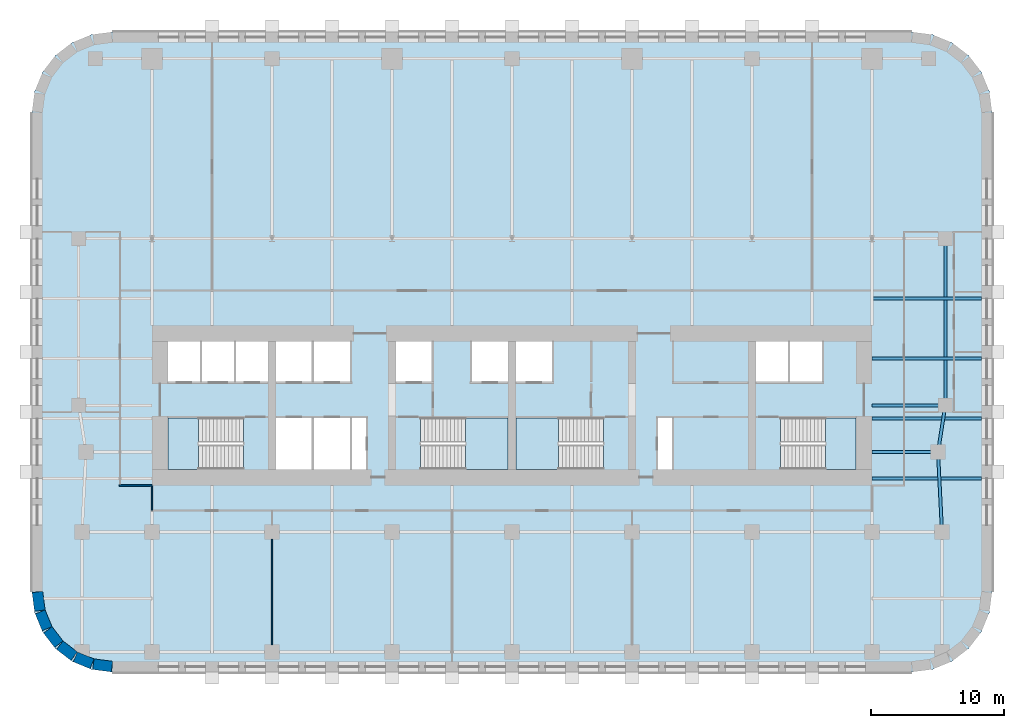
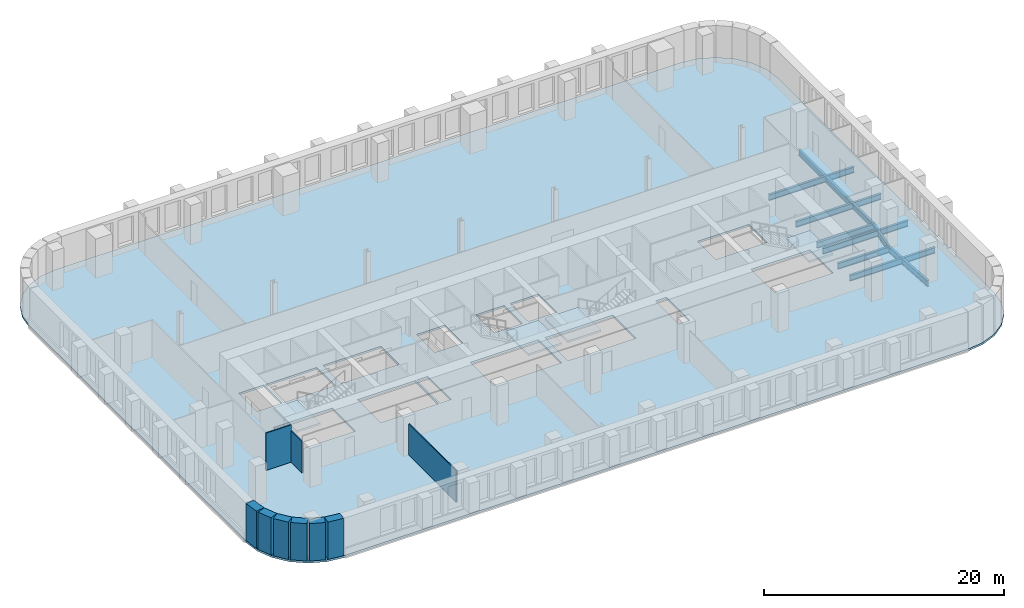
# One storey, part 2 of 11: 9 beams, 9 walls, 5 slabs, 4 elements without a shape of their own.
"""IFC4 building model written with IfcOpenShell, lengths in metres."""

from ifc_helpers import new_model, si_unit, direction, frame, frame_2d, origin, origin_2d, place, context, subcontext, project, spatial, polyline, rectangle, i_section, outline, extrude, material, layer, layer_set, material_profile, profile_set, type_object, element, aggregate, save


model = new_model("IFC4")

# Units and contexts
model_context = context("Model", 3, precision=1e-05, world=origin(), true_north=direction((0.0, 1.0)))
body_context = subcontext(model_context, "Body", "Model", "MODEL_VIEW")
ifc_project = project(units=[si_unit("LENGTHUNIT", "METRE"), si_unit("AREAUNIT", "SQUARE_METRE"), si_unit("VOLUMEUNIT", "CUBIC_METRE"), si_unit("PLANEANGLEUNIT", "RADIAN"), si_unit("MASSUNIT", "GRAM", prefix="KILO")], contexts=[model_context])

# Site, building, storey
site_placement = place(None, origin())
site = spatial("IfcSite", under=ifc_project, at=site_placement, CompositionType="ELEMENT")
building_placement = place(site_placement, origin())
building = spatial("IfcBuilding", under=site, at=building_placement, Name="Zellij Exchange Tower", CompositionType="ELEMENT")
storey_placement = place(building_placement, frame((0.0, 0.0, 56.5)))
storey = spatial("IfcBuildingStorey", under=building, at=storey_placement, Name="L10", CompositionType="ELEMENT", Elevation=56.5)

# Beams
ifc_material_1 = material(Name="Structural steel ASTM A992 Gr 50", Category="steel")
ifc_material_profile_1 = material_profile(ifc_material_1, i_section(OverallWidth=0.227783203125, OverallDepth=0.60205078125, WebThickness=0.010498046875, FlangeThickness=0.014892578125, at=origin_2d()), Name="W24x68")
ifc_profile_set_1 = profile_set([ifc_material_profile_1], Name="Structural steel ASTM A992 Gr 50")
beam_type_1 = type_object("IfcBeamType", Name="STR-BEAM W24x68", PredefinedType="BEAM", material=ifc_profile_set_1)
for number, where, z_axis, x_axis, name in (
    (1, (27.0, -13.5, -0.5009765625), (1.0, 0.0, 0.0), (0.0, 1.0, 0.0), "B5"),
    (2, (27.0, -9.0, -0.5009765625), (1.0, 0.0, 0.0), (0.0, 1.0, 0.0), "B5"),
    (3, (27.0, -4.5, -0.5009765625), (1.0, 0.0, 0.0), (0.0, 1.0, 0.0), "B5"),
    (4, (27.0, 0.0, -0.5009765625), (1.0, 0.0, 0.0), (0.0, 1.0, 0.0), "B5"),
):
    element("IfcBeam", number, at=place(storey_placement, frame(where, z_axis=z_axis, x_axis=x_axis)), inside=storey, type_object=beam_type_1, Name=name, PredefinedType="BEAM", context=body_context, shape_type="SweptSolid", body=[
        extrude(i_section(OverallWidth=0.227783203125, OverallDepth=0.60205078125, WebThickness=0.010498046875, FlangeThickness=0.014892578125, at=origin_2d()), origin(), (0.0, 0.0, 1.0), 8.199951171875),
    ])
ifc_material_profile_2 = material_profile(ifc_material_1, i_section(OverallWidth=0.22900390625, OverallDepth=0.612060546875, WebThickness=0.011962890625, FlangeThickness=0.01953125, at=origin_2d()), Name="W24x84")
ifc_profile_set_2 = profile_set([ifc_material_profile_2], Name="Structural steel ASTM A992 Gr 50")
beam_type_2 = type_object("IfcBeamType", Name="STR-EDGE GIRDER W24x84", PredefinedType="BEAM", material=ifc_profile_set_2)
beam_1_placement = place(storey_placement, frame((32.25, -17.5, -0.506103515625), z_axis=(-0.049945724537, 0.998751933465, 0.0), x_axis=(-0.998751933465, -0.049945724537, 0.0)))
element("IfcBeam", 5, at=beam_1_placement, inside=storey, type_object=beam_type_2, Name="EB6", PredefinedType="BEAM", context=body_context, shape_type="SweptSolid", body=[
    extrude(i_section(OverallWidth=0.22900390625, OverallDepth=0.612060546875, WebThickness=0.011962890625, FlangeThickness=0.01953125, at=origin_2d()), origin(), (0.0, 0.0, 1.0), 6.007568359375),
])
beam_2_placement = place(storey_placement, frame((31.949951171875, -11.5, -0.506103515625), z_axis=(0.155251283593, 0.987875011802, 0.0), x_axis=(-0.987875011802, 0.155251283593, 0.0)))
element("IfcBeam", 6, at=beam_2_placement, inside=storey, type_object=beam_type_2, Name="EB6", PredefinedType="BEAM", context=body_context, shape_type="SweptSolid", body=[
    extrude(i_section(OverallWidth=0.22900390625, OverallDepth=0.612060546875, WebThickness=0.011962890625, FlangeThickness=0.01953125, at=origin_2d()), origin(), (0.0, 0.0, 1.0), 3.54296875),
])
beam_3_placement = place(storey_placement, frame((32.5, -8.0, -0.506103515625), z_axis=(0.0, 1.0, 0.0), x_axis=(-1.0, 0.0, 0.0)))
element("IfcBeam", 7, at=beam_3_placement, inside=storey, type_object=beam_type_2, Name="EB6", PredefinedType="BEAM", context=body_context, shape_type="SweptSolid", body=[
    extrude(i_section(OverallWidth=0.22900390625, OverallDepth=0.612060546875, WebThickness=0.011962890625, FlangeThickness=0.01953125, at=origin_2d()), origin(), (0.0, 0.0, 1.0), 12.5),
])
ifc_material_profile_3 = material_profile(ifc_material_1, i_section(OverallWidth=0.22900390625, OverallDepth=0.612060546875, WebThickness=0.011962890625, FlangeThickness=0.01953125, at=origin_2d()), Name="W24x84")
ifc_profile_set_3 = profile_set([ifc_material_profile_3], Name="Structural steel ASTM A992 Gr 50")
beam_type_3 = type_object("IfcBeamType", Name="STR-GIRDER W24x84", PredefinedType="BEAM", material=ifc_profile_set_3)
beam_4_placement = place(storey_placement, frame((27.0, -11.5, -0.506103515625), z_axis=(1.0, 0.0, 0.0), x_axis=(0.0, 1.0, 0.0)))
element("IfcBeam", 8, at=beam_4_placement, inside=storey, type_object=beam_type_3, Name="G4", PredefinedType="BEAM", context=body_context, shape_type="SweptSolid", body=[
    extrude(i_section(OverallWidth=0.22900390625, OverallDepth=0.612060546875, WebThickness=0.011962890625, FlangeThickness=0.01953125, at=origin_2d()), origin(), (0.0, 0.0, 1.0), 4.949951171875),
])
beam_5_placement = place(storey_placement, frame((27.0, -8.0, -0.506103515625), z_axis=(1.0, 0.0, 0.0), x_axis=(0.0, 1.0, 0.0)))
element("IfcBeam", 9, at=beam_5_placement, inside=storey, type_object=beam_type_3, Name="G4", PredefinedType="BEAM", context=body_context, shape_type="SweptSolid", body=[
    extrude(i_section(OverallWidth=0.22900390625, OverallDepth=0.612060546875, WebThickness=0.011962890625, FlangeThickness=0.01953125, at=origin_2d()), origin(), (0.0, 0.0, 1.0), 5.5),
])

# Stair, slab
ifc_material_2 = material(Name="Concrete C40/50", Category="concrete")
stair_type = type_object("IfcStairType", Name="CORE-ST exit stair 1850 wide", PredefinedType="HALF_TURN_STAIR", material=ifc_material_2)
stair_1_placement = place(storey_placement, origin())
stair_1 = element("IfcStair", 10, at=stair_1_placement, inside=storey, type_object=stair_type, Name="L10 exit stair ST1", PredefinedType="HALF_TURN_STAIR")
ifc_layer_1 = layer(ifc_material_2, 0.199951171875)
ifc_layer_set_1 = layer_set([ifc_layer_1], Name="Concrete C40/50")
slab_type_1 = type_object("IfcSlabType", Name="CORE-SL stair landing 200", PredefinedType="LANDING", material=ifc_layer_set_1)
slab_1_placement = place(storey_placement, frame((0.0, 0.0, 1.800048828125)))
slab_1 = element("IfcSlab", 11, at=slab_1_placement, type_object=slab_type_1, Name="ST1 landing 1", PredefinedType="LANDING", context=body_context, shape_type="SweptSolid", body=[
    extrude(outline(polyline([(-23.510009765625, -8.949951171875), (-25.800048828125, -8.949951171875), (-25.800048828125, -12.800048828125), (-23.510009765625, -12.800048828125), (-23.510009765625, -8.949951171875)])), origin(), (0.0, 0.0, 1.0), 0.199951171875),
])
aggregate(stair_1, [slab_1])

stair_2_placement = place(storey_placement, origin())
stair_2 = element("IfcStair", 12, at=stair_2_placement, inside=storey, type_object=stair_type, Name="L10 exit stair ST2", PredefinedType="HALF_TURN_STAIR")
slab_2_placement = place(storey_placement, frame((0.0, 0.0, 1.800048828125)))
slab_2 = element("IfcSlab", 13, at=slab_2_placement, type_object=slab_type_1, Name="ST2 landing 1", PredefinedType="LANDING", context=body_context, shape_type="SweptSolid", body=[
    extrude(outline(polyline([(-3.489990234375, -12.800048828125), (-0.300048828125, -12.800048828125), (-0.300048828125, -8.949951171875), (-3.489990234375, -8.949951171875), (-3.489990234375, -12.800048828125)])), origin(), (0.0, 0.0, 1.0), 0.199951171875),
])
aggregate(stair_2, [slab_2])

stair_3_placement = place(storey_placement, origin())
stair_3 = element("IfcStair", 14, at=stair_3_placement, inside=storey, type_object=stair_type, Name="L10 exit stair ST3", PredefinedType="HALF_TURN_STAIR")
slab_3_placement = place(storey_placement, frame((0.0, 0.0, 1.800048828125)))
slab_3 = element("IfcSlab", 15, at=slab_3_placement, type_object=slab_type_1, Name="ST3 landing 1", PredefinedType="LANDING", context=body_context, shape_type="SweptSolid", body=[
    extrude(outline(polyline([(3.489990234375, -8.949951171875), (0.300048828125, -8.949951171875), (0.300048828125, -12.800048828125), (3.489990234375, -12.800048828125), (3.489990234375, -8.949951171875)])), origin(), (0.0, 0.0, 1.0), 0.199951171875),
])
aggregate(stair_3, [slab_3])

stair_4_placement = place(storey_placement, origin())
stair_4 = element("IfcStair", 16, at=stair_4_placement, inside=storey, type_object=stair_type, Name="L10 exit stair ST4", PredefinedType="HALF_TURN_STAIR")
slab_4_placement = place(storey_placement, frame((0.0, 0.0, 1.800048828125)))
slab_4 = element("IfcSlab", 17, at=slab_4_placement, type_object=slab_type_1, Name="ST4 landing 1", PredefinedType="LANDING", context=body_context, shape_type="SweptSolid", body=[
    extrude(outline(polyline([(23.510009765625, -12.800048828125), (25.800048828125, -12.800048828125), (25.800048828125, -8.949951171875), (23.510009765625, -8.949951171875), (23.510009765625, -12.800048828125)])), origin(), (0.0, 0.0, 1.0), 0.199951171875),
])
aggregate(stair_4, [slab_4])

# Slab
ifc_layer_2 = layer(ifc_material_2, 0.199951171875)
ifc_layer_set_2 = layer_set([ifc_layer_2], Name="Concrete C40/50")
slab_type_2 = type_object("IfcSlabType", Name="STR-FLOOR SLAB 200 C40/50", PredefinedType="FLOOR", material=ifc_layer_set_2)
slab_5_placement = place(storey_placement, frame((0.0, 0.0, -0.2001953125)))
element("IfcSlab", 18, at=slab_5_placement, inside=storey, type_object=slab_type_2, Name="Floor L10", PredefinedType="FLOOR", context=body_context, shape_type="SweptSolid", body=[
    extrude(outline(polyline([(-30.0, -28.0), (-31.552978515625, -27.795654296875), (-33.0, -27.1962890625), (-34.24267578125, -26.24267578125), (-35.1962890625, -25.0), (-35.795654296875, -23.552978515625), (-36.0, -22.0), (-36.0, 14.0), (-35.795654296875, 15.552978515625), (-35.1962890625, 17.0), (-34.24267578125, 18.24267578125), (-33.0, 19.1962890625), (-31.552978515625, 19.795654296875), (-30.0, 20.0), (30.0, 20.0), (31.552978515625, 19.795654296875), (33.0, 19.1962890625), (34.24267578125, 18.24267578125), (35.1962890625, 17.0), (35.795654296875, 15.552978515625), (36.0, 14.0), (36.0, -22.0), (35.795654296875, -23.552978515625), (35.1962890625, -25.0), (34.24267578125, -26.24267578125), (33.0, -27.1962890625), (31.552978515625, -27.795654296875), (30.0, -28.0), (-30.0, -28.0)]), holes=[polyline([(-25.800048828125, -8.949951171875), (-25.800048828125, -12.800048828125), (-20.153076171875, -12.800048828125), (-20.153076171875, -8.949951171875), (-25.800048828125, -8.949951171875)]), polyline([(-12.14990234375, -8.949951171875), (-17.699951171875, -8.949951171875), (-17.699951171875, -12.800048828125), (-12.14990234375, -12.800048828125), (-12.14990234375, -8.949951171875)]), polyline([(-10.949951171875, -8.949951171875), (-12.0, -8.949951171875), (-12.0, -12.800048828125), (-10.949951171875, -12.800048828125), (-10.949951171875, -8.949951171875)]), polyline([(-23.39990234375, -3.199951171875), (-25.800048828125, -3.199951171875), (-25.800048828125, -6.22509765625), (-23.39990234375, -6.22509765625), (-23.39990234375, -3.199951171875)]), polyline([(-18.300048828125, -3.199951171875), (-23.25, -3.199951171875), (-23.25, -6.22509765625), (-18.300048828125, -6.22509765625), (-18.300048828125, -3.199951171875)]), polyline([(-12.14990234375, -3.199951171875), (-17.699951171875, -3.199951171875), (-17.699951171875, -6.22509765625), (-12.14990234375, -6.22509765625), (-12.14990234375, -3.199951171875)]), polyline([(-6.0, -3.199951171875), (-8.699951171875, -3.199951171875), (-8.699951171875, -6.22509765625), (-6.0, -6.22509765625), (-6.0, -3.199951171875)]), polyline([(-6.846923828125, -8.949951171875), (-6.846923828125, -12.800048828125), (-0.300048828125, -12.800048828125), (-0.300048828125, -8.949951171875), (-6.846923828125, -8.949951171875)]), polyline([(6.846923828125, -8.949951171875), (0.300048828125, -8.949951171875), (0.300048828125, -12.800048828125), (6.846923828125, -12.800048828125), (6.846923828125, -8.949951171875)]), polyline([(12.0, -8.949951171875), (10.949951171875, -8.949951171875), (10.949951171875, -12.800048828125), (12.0, -12.800048828125), (12.0, -8.949951171875)]), polyline([(25.800048828125, -8.949951171875), (20.153076171875, -8.949951171875), (20.153076171875, -12.800048828125), (25.800048828125, -12.800048828125), (25.800048828125, -8.949951171875)]), polyline([(-0.300048828125, -3.199951171875), (-3.0, -3.199951171875), (-3.0, -6.22509765625), (-0.300048828125, -6.22509765625), (-0.300048828125, -3.199951171875)]), polyline([(3.0, -3.199951171875), (0.300048828125, -3.199951171875), (0.300048828125, -6.22509765625), (3.0, -6.22509765625), (3.0, -3.199951171875)]), polyline([(23.25, -3.199951171875), (18.300048828125, -3.199951171875), (18.300048828125, -6.22509765625), (23.25, -6.22509765625), (23.25, -3.199951171875)])]), origin(), (0.0, 0.0, 1.0), 0.2001953125),
])

# Walls
ifc_material_3 = material(Name="Precast concrete C40/50", Category="concrete")
ifc_layer_3 = layer(ifc_material_3, 0.800048828125)
ifc_layer_set_3 = layer_set([ifc_layer_3], Name="Precast concrete C40/50")
wall_type_1 = type_object("IfcWallType", Name="ENV-EW1 Precast stone-piered wall 800", PredefinedType="SOLIDWALL", material=ifc_layer_set_3)
wall_1_placement = place(storey_placement, frame((-35.5966796875, -21.999755859375, 0.0), z_axis=(0.0, 0.0, 1.0), x_axis=(0.130517283865, -0.99144603414, 0.0)))
element("IfcWall", 19, at=wall_1_placement, inside=storey, type_object=wall_type_1, Name="fac.L10.22", PredefinedType="SOLIDWALL", context=body_context, shape_type="SweptSolid", body=[
    extrude(rectangle(XDim=1.408447265625, YDim=0.800048828125, at=frame_2d((0.7041015625, 0.0))), origin(), (0.0, 0.0, 1.0), 3.800048828125),
])
wall_2_placement = place(storey_placement, frame((-35.3857421875, -23.497314453125, 0.0), z_axis=(0.0, 0.0, 1.0), x_axis=(0.38276009378, -0.923847774587, 0.0)))
element("IfcWall", 20, at=wall_2_placement, inside=storey, type_object=wall_type_1, Name="fac.L10.23", PredefinedType="SOLIDWALL", context=body_context, shape_type="SweptSolid", body=[
    extrude(rectangle(XDim=1.35546875, YDim=0.800048828125, at=frame_2d((0.677734375, 0.0))), origin(), (0.0, 0.0, 1.0), 3.800048828125),
])
for number, where, z_axis, x_axis, name in (
    (21, (-34.814697265625, -24.840087890625, 0.0), (0.0, 0.0, 1.0), (0.608866226366, -0.793272915452, 0.0), "fac.L10.24"),
    (22, (-33.91552734375, -25.9892578125, 0.0), (0.0, 0.0, 1.0), (0.793272915452, -0.608866226366, 0.0), "fac.L10.25"),
):
    element("IfcWall", number, at=place(storey_placement, frame(where, z_axis=z_axis, x_axis=x_axis)), inside=storey, type_object=wall_type_1, Name=name, PredefinedType="SOLIDWALL", context=body_context, shape_type="SweptSolid", body=[
        extrude(rectangle(XDim=1.355712890625, YDim=0.800048828125, at=frame_2d((0.677734375, 0.0))), origin(), (0.0, 0.0, 1.0), 3.800048828125),
    ])
wall_3_placement = place(storey_placement, frame((-32.74951171875, -26.866943359375, 0.0), z_axis=(0.0, 0.0, 1.0), x_axis=(0.923847774587, -0.38276009378, 0.0)))
element("IfcWall", 23, at=wall_3_placement, inside=storey, type_object=wall_type_1, Name="fac.L10.26", PredefinedType="SOLIDWALL", context=body_context, shape_type="SweptSolid", body=[
    extrude(rectangle(XDim=1.35546875, YDim=0.800048828125, at=frame_2d((0.677734375, 0.0))), origin(), (0.0, 0.0, 1.0), 3.800048828125),
])
wall_4_placement = place(storey_placement, frame((-31.396240234375, -27.412841796875, 0.0), z_axis=(0.0, 0.0, 1.0), x_axis=(0.99144603414, -0.130517283865, 0.0)))
element("IfcWall", 24, at=wall_4_placement, inside=storey, type_object=wall_type_1, Name="fac.L10.27", PredefinedType="SOLIDWALL", context=body_context, shape_type="SweptSolid", body=[
    extrude(rectangle(XDim=1.408447265625, YDim=0.800048828125, at=frame_2d((0.7041015625, 0.0))), origin(), (0.0, 0.0, 1.0), 3.800048828125),
])
ifc_material_4 = material(Name="Gypsum board partition on steel studs", Category="steel")
ifc_layer_4 = layer(ifc_material_4, 0.10009765625)
ifc_layer_set_4 = layer_set([ifc_layer_4], Name="Gypsum board partition on steel studs")
wall_type_2 = type_object("IfcWallType", Name="FIT-PARTITION-100", PredefinedType="PARTITIONING", material=ifc_layer_set_4)
wall_5_placement = place(storey_placement, frame((-18.0, -25.949951171875, 0.0), z_axis=(0.0, 0.0, 1.0), x_axis=(0.0, 1.0, 0.0)))
element("IfcWall", 25, at=wall_5_placement, inside=storey, type_object=wall_type_2, Name="FIT-PARTITION-100 001", PredefinedType="PARTITIONING", context=body_context, shape_type="SweptSolid", body=[
    extrude(rectangle(XDim=7.89990234375, YDim=0.10009765625, at=frame_2d((3.949951171875, 0.0))), origin(), (0.0, 0.0, 1.0), 3.18798828125),
])
wall_6_placement = place(storey_placement, frame((-27.0, -15.85009765625, 0.0), z_axis=(0.0, 0.0, 1.0), x_axis=(0.0, 1.0, 0.0)))
element("IfcWall", 26, at=wall_6_placement, inside=storey, type_object=wall_type_2, Name="FIT-PARTITION-100 008", PredefinedType="PARTITIONING", context=body_context, shape_type="SweptSolid", body=[
    extrude(rectangle(XDim=1.800048828125, YDim=0.10009765625, at=frame_2d((0.89990234375, 0.0))), origin(), (0.0, 0.0, 1.0), 3.18798828125),
])
wall_7_placement = place(storey_placement, frame((-29.449951171875, -14.0, 0.0), z_axis=(0.0, 0.0, 1.0), x_axis=(1.0, 0.0, 0.0)))
element("IfcWall", 27, at=wall_7_placement, inside=storey, type_object=wall_type_2, Name="FIT-PARTITION-100 010", PredefinedType="PARTITIONING", context=body_context, shape_type="SweptSolid", body=[
    extrude(rectangle(XDim=2.449951171875, YDim=0.10009765625, at=frame_2d((1.22509765625, 0.0))), origin(), (0.0, 0.0, 1.0), 3.800048828125),
])

save(model, "model.ifc")
